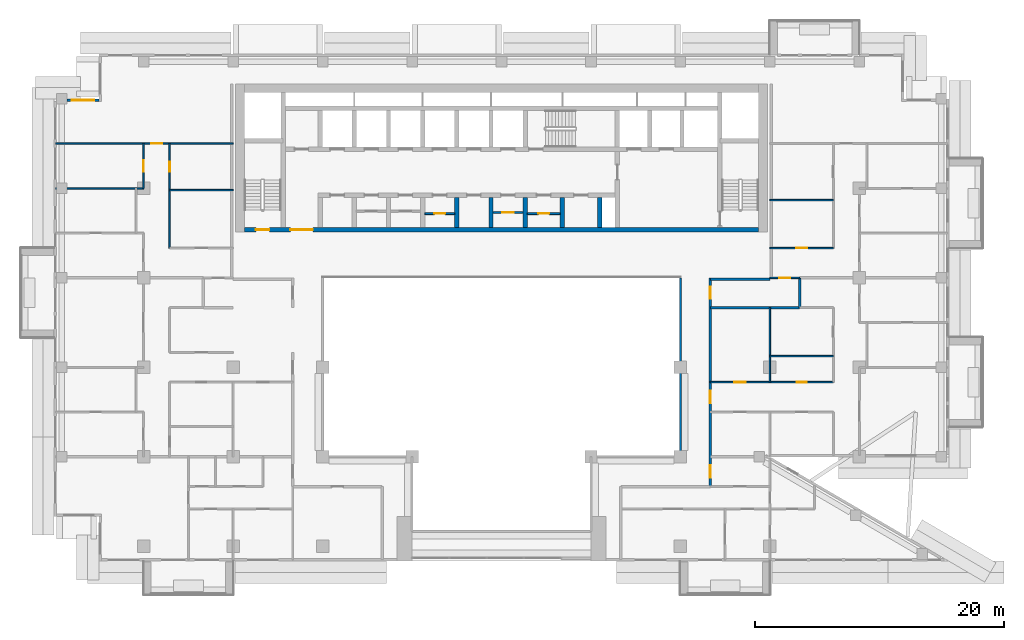
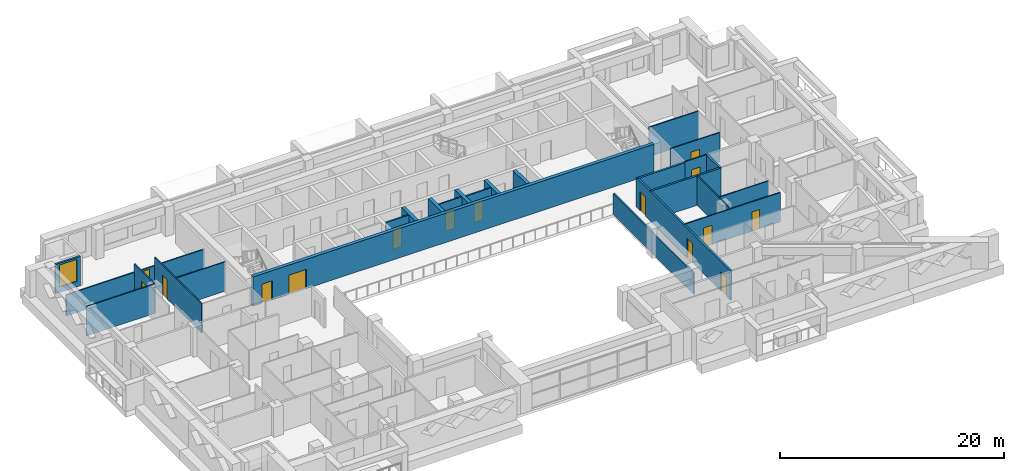
# One storey, part 9 of 20: 26 walls, 15 doors, 1 window, 16 openings.
"""IFC4 building model written with IfcOpenShell, lengths in metres."""

from ifc_helpers import new_model, si_unit, direction, frame, frame_2d, origin, place, context, subcontext, project, spatial, rectangle, extrude, material, layer, layer_set, type_object, element, fill, save


model = new_model("IFC4")

# Units and contexts
model_context = context("Model", 3, precision=1e-05, world=origin(), true_north=direction((0.0, 1.0)))
body_context = subcontext(model_context, "Body", "Model", "MODEL_VIEW")
ifc_project = project(units=[si_unit("LENGTHUNIT", "METRE"), si_unit("AREAUNIT", "SQUARE_METRE"), si_unit("VOLUMEUNIT", "CUBIC_METRE"), si_unit("PLANEANGLEUNIT", "RADIAN"), si_unit("MASSUNIT", "GRAM", prefix="KILO")], contexts=[model_context])

# Site, building, storey
site_placement = place(None, origin())
site = spatial("IfcSite", under=ifc_project, at=site_placement, CompositionType="ELEMENT")
building_placement = place(site_placement, origin())
building = spatial("IfcBuilding", under=site, at=building_placement, Name="Saffron Iwan Residences", CompositionType="ELEMENT")
storey_placement = place(building_placement, frame((0.0, 0.0, 167.5)))
storey = spatial("IfcBuildingStorey", under=building, at=storey_placement, Name="L44", CompositionType="ELEMENT", Elevation=167.5)

# Wall
ifc_material_1 = material(Name="Fire-rated glazing", Category="glass")
ifc_layer_1 = layer(ifc_material_1, 0.14990234375)
ifc_layer_set_1 = layer_set([ifc_layer_1], Name="Fire-rated glazing")
wall_type_1 = type_object("IfcWallType", Name="Atrium glazed screen 150", PredefinedType="SOLIDWALL", material=ifc_layer_set_1)
wall_1_placement = place(storey_placement, frame((64.800048828125, 48.0, 0.0), z_axis=(0.0, 0.0, 1.0), x_axis=(0.0, 1.0, 0.0)))
element("IfcWall", 1, at=wall_1_placement, inside=storey, type_object=wall_type_1, Name="W-L44-SCREEN-v64.8-48", PredefinedType="SOLIDWALL", context=body_context, shape_type="SweptSolid", body=[
    extrude(rectangle(XDim=14.39990234375, YDim=0.14990234375, at=frame_2d((7.199951171875, 0.0))), origin(), (0.0, 0.0, 1.0), 2.300048828125),
])

# Wall, opening, door
ifc_material_2 = material(Name="Fire-rated plasterboard partition")
ifc_layer_2 = layer(ifc_material_2, 0.14990234375)
ifc_layer_set_2 = layer_set([ifc_layer_2], Name="Fire-rated plasterboard partition")
wall_type_2 = type_object("IfcWallType", Name="Core partition 150", PredefinedType="PARTITIONING", material=ifc_layer_set_2)
wall_2_placement = place(storey_placement, frame((44.22509765625, 67.5654296875, 0.0), z_axis=(0.0, 0.0, 1.0), x_axis=(1.0, 0.0, 0.0)))
wall_2 = element("IfcWall", 2, at=wall_2_placement, inside=storey, type_object=wall_type_2, Name="Core partition P03", PredefinedType="PARTITIONING", context=body_context, shape_type="SweptSolid", body=[
    extrude(rectangle(XDim=2.39990234375, YDim=0.14990234375, at=frame_2d((1.199951171875, 0.0))), origin(), (0.0, 0.0, 1.0), 3.199951171875),
])
opening_1_placement = place(wall_2_placement, frame((0.75, 0.0, 0.0)))
opening_1 = element("IfcOpeningElement", 3, at=opening_1_placement, cuts=wall_2, Name="Opening SB", PredefinedType="OPENING", context=body_context, shape_type="SweptSolid", body=[
    extrude(rectangle(XDim=0.89990234375, YDim=2.10009765625, at=frame_2d((0.449951171875, 1.050048828125))), frame((0.0, 0.0849609375, 0.0), z_axis=(0.0, -1.0, 0.0), x_axis=(1.0, 0.0, 0.0)), (0.0, 0.0, 1.0), 0.169921875),
])
ifc_material_3 = material(Name="Steel fire door", Category="steel")
door_type_1 = type_object("IfcDoorType", Name="Store door 900", OperationType="NOTDEFINED", PredefinedType="DOOR", material=ifc_material_3)
door_1_placement = place(opening_1_placement, origin())
door_1 = element("IfcDoor", 4, at=door_1_placement, inside=storey, type_object=door_type_1, Name="Door Spares store", OperationType="SINGLE_SWING_LEFT", OverallHeight=2.10009765625, OverallWidth=0.89990234375, PredefinedType="DOOR", context=body_context, shape_type="SweptSolid", body=[
    extrude(rectangle(XDim=0.89990234375, YDim=2.10009765625, at=frame_2d((0.449951171875, 1.050048828125))), frame((0.0, 0.02490234375, 0.0), z_axis=(0.0, -1.0, 0.0), x_axis=(1.0, 0.0, 0.0)), (0.0, 0.0, 1.0), 0.050048828125),
])
fill(opening_1, door_1)

wall_3_placement = place(storey_placement, frame((49.72509765625, 67.66259765625, 0.0), z_axis=(0.0, 0.0, 1.0), x_axis=(1.0, 0.0, 0.0)))
wall_3 = element("IfcWall", 5, at=wall_3_placement, inside=storey, type_object=wall_type_2, Name="Core partition P04", PredefinedType="PARTITIONING", context=body_context, shape_type="SweptSolid", body=[
    extrude(rectangle(XDim=2.39990234375, YDim=0.14990234375, at=frame_2d((1.199951171875, 0.0))), origin(), (0.0, 0.0, 1.0), 3.199951171875),
])
opening_2_placement = place(wall_3_placement, frame((0.75, 0.0, 0.0)))
opening_2 = element("IfcOpeningElement", 6, at=opening_2_placement, cuts=wall_3, Name="Opening SB", PredefinedType="OPENING", context=body_context, shape_type="SweptSolid", body=[
    extrude(rectangle(XDim=0.89990234375, YDim=2.10009765625, at=frame_2d((0.449951171875, 1.050048828125))), frame((0.0, 0.0849609375, 0.0), z_axis=(0.0, -1.0, 0.0), x_axis=(1.0, 0.0, 0.0)), (0.0, 0.0, 1.0), 0.169921875),
])
door_2_placement = place(opening_2_placement, origin())
door_2 = element("IfcDoor", 7, at=door_2_placement, inside=storey, type_object=door_type_1, Name="Door Records store", OperationType="SINGLE_SWING_LEFT", OverallHeight=2.10009765625, OverallWidth=0.89990234375, PredefinedType="DOOR", context=body_context, shape_type="SweptSolid", body=[
    extrude(rectangle(XDim=0.89990234375, YDim=2.10009765625, at=frame_2d((0.449951171875, 1.050048828125))), frame((0.0, 0.02490234375, 0.0), z_axis=(0.0, -1.0, 0.0), x_axis=(1.0, 0.0, 0.0)), (0.0, 0.0, 1.0), 0.050048828125),
])
fill(opening_2, door_2)

wall_4_placement = place(storey_placement, frame((52.47509765625, 67.5654296875, 0.0), z_axis=(0.0, 0.0, 1.0), x_axis=(1.0, 0.0, 0.0)))
wall_4 = element("IfcWall", 8, at=wall_4_placement, inside=storey, type_object=wall_type_2, Name="Core partition P05", PredefinedType="PARTITIONING", context=body_context, shape_type="SweptSolid", body=[
    extrude(rectangle(XDim=2.64990234375, YDim=0.14990234375, at=frame_2d((1.324951171875, 0.0))), origin(), (0.0, 0.0, 1.0), 3.199951171875),
])
opening_3_placement = place(wall_4_placement, frame((0.875, 0.0, 0.0)))
opening_3 = element("IfcOpeningElement", 9, at=opening_3_placement, cuts=wall_4, Name="Opening SB", PredefinedType="OPENING", context=body_context, shape_type="SweptSolid", body=[
    extrude(rectangle(XDim=0.89990234375, YDim=2.10009765625, at=frame_2d((0.449951171875, 1.050048828125))), frame((0.0, 0.0849609375, 0.0), z_axis=(0.0, -1.0, 0.0), x_axis=(1.0, 0.0, 0.0)), (0.0, 0.0, 1.0), 0.169921875),
])
door_3_placement = place(opening_3_placement, origin())
door_3 = element("IfcDoor", 10, at=door_3_placement, inside=storey, type_object=door_type_1, Name="Door Equipment store", OperationType="SINGLE_SWING_RIGHT", OverallHeight=2.10009765625, OverallWidth=0.89990234375, PredefinedType="DOOR", context=body_context, shape_type="SweptSolid", body=[
    extrude(rectangle(XDim=0.89990234375, YDim=2.10009765625, at=frame_2d((0.449951171875, 1.050048828125))), frame((0.0, 0.02490234375, 0.0), z_axis=(0.0, -1.0, 0.0), x_axis=(1.0, 0.0, 0.0)), (0.0, 0.0, 1.0), 0.050048828125),
])
fill(opening_3, door_3)

# Wall, opening, window
ifc_material_4 = material(Name="Concrete C40/50", Category="concrete")
ifc_layer_3 = layer(ifc_material_4, 0.199951171875)
ifc_layer_set_3 = layer_set([ifc_layer_3], Name="Concrete C40/50")
wall_type_3 = type_object("IfcWallType", Name="EXTERNAL WALL 200", PredefinedType="SOLIDWALL", material=ifc_layer_set_3)
wall_5_placement = place(storey_placement, frame((18.0, 76.699951171875, 0.0), z_axis=(0.0, 0.0, 1.0), x_axis=(-1.0, 0.0, 0.0)))
wall_5 = element("IfcWall", 11, at=wall_5_placement, inside=storey, type_object=wall_type_3, Name="External wall L44 F7.0", PredefinedType="SOLIDWALL", context=body_context, shape_type="SweptSolid", body=[
    extrude(rectangle(XDim=2.574951171875, YDim=0.199951171875, at=frame_2d((1.28759765625, 0.0))), origin(), (0.0, 0.0, 1.0), 3.199951171875),
])
opening_4_placement = place(wall_5_placement, frame((0.387451171875, 0.0, 0.60009765625)))
opening_4 = element("IfcOpeningElement", 12, at=opening_4_placement, cuts=wall_5, Name="Opening W8", PredefinedType="OPENING", context=body_context, shape_type="SweptSolid", body=[
    extrude(rectangle(XDim=1.800048828125, YDim=2.39990234375, at=frame_2d((0.89990234375, 1.199951171875))), frame((0.0, 0.10986328125, 0.0), z_axis=(0.0, -1.0, 0.0), x_axis=(1.0, 0.0, 0.0)), (0.0, 0.0, 1.0), 0.219970703125),
])
ifc_material_5 = material(Name="Clear glass, laminated double glazed", Category="glass")
window_type = type_object("IfcWindowType", Name="WINDOW 1800 x 2400", PartitioningType="DOUBLE_PANEL_VERTICAL", PredefinedType="WINDOW", material=ifc_material_5)
window_placement = place(opening_4_placement, origin())
window = element("IfcWindow", 13, at=window_placement, inside=storey, type_object=window_type, Name="Window L44 F7.0", OverallHeight=2.39990234375, OverallWidth=1.800048828125, PartitioningType="DOUBLE_PANEL_VERTICAL", PredefinedType="WINDOW", context=body_context, shape_type="SweptSolid", body=[
    extrude(rectangle(XDim=1.800048828125, YDim=2.39990234375, at=frame_2d((0.89990234375, 1.199951171875))), frame((0.0, 0.030029296875, 0.0), z_axis=(0.0, -1.0, 0.0), x_axis=(1.0, 0.0, 0.0)), (0.0, 0.0, 1.0), 0.06005859375),
])
fill(opening_4, window)

# Walls
ifc_material_6 = material(Name="Fire-rated gypsum board wall")
ifc_layer_4 = layer(ifc_material_6, 0.199951171875)
ifc_layer_set_4 = layer_set([ifc_layer_4], Name="Fire-rated gypsum board wall")
wall_type_4 = type_object("IfcWallType", Name="Flat demising wall 200", PredefinedType="SOLIDWALL", material=ifc_layer_set_4)
wall_6_placement = place(storey_placement, frame((67.199951171875, 60.0, 0.0), z_axis=(0.0, 0.0, 1.0), x_axis=(1.0, 0.0, 0.0)))
element("IfcWall", 14, at=wall_6_placement, inside=storey, type_object=wall_type_4, Name="W-L44-DEMISE-h60-67.2", PredefinedType="SOLIDWALL", context=body_context, shape_type="SweptSolid", body=[
    extrude(rectangle(XDim=7.199951171875, YDim=0.199951171875, at=frame_2d((3.60009765625, 0.0))), origin(), (0.0, 0.0, 1.0), 3.199951171875),
])
wall_7_placement = place(storey_placement, frame((74.39990234375, 60.0, 0.0), z_axis=(0.0, 0.0, 1.0), x_axis=(0.0, 1.0, 0.0)))
element("IfcWall", 15, at=wall_7_placement, inside=storey, type_object=wall_type_4, Name="W-L44-DEMISE-v74.4-60", PredefinedType="SOLIDWALL", context=body_context, shape_type="SweptSolid", body=[
    extrude(rectangle(XDim=2.39990234375, YDim=0.199951171875, at=frame_2d((1.199951171875, 0.0))), origin(), (0.0, 0.0, 1.0), 3.199951171875),
])

# Wall, openings, doors
ifc_material_7 = material(Name="Gypsum board partition")
ifc_layer_5 = layer(ifc_material_7, 0.1201171875)
ifc_layer_set_5 = layer_set([ifc_layer_5], Name="Gypsum board partition")
wall_type_5 = type_object("IfcWallType", Name="Flat partition 120", PredefinedType="PARTITIONING", material=ifc_layer_set_5)
wall_8_placement = place(storey_placement, frame((67.199951171875, 54.0, 0.0), z_axis=(0.0, 0.0, 1.0), x_axis=(1.0, 0.0, 0.0)))
wall_8 = element("IfcWall", 16, at=wall_8_placement, inside=storey, type_object=wall_type_5, Name="W-L44-PART-h54-67.2", PredefinedType="PARTITIONING", context=body_context, shape_type="SweptSolid", body=[
    extrude(rectangle(XDim=9.900146484375, YDim=0.1201171875, at=frame_2d((4.9501953125, 0.0))), origin(), (0.0, 0.0, 1.0), 3.199951171875),
])
opening_5_placement = place(wall_8_placement, frame((6.949951171875, 0.0, 0.0)))
opening_5 = element("IfcOpeningElement", 17, at=opening_5_placement, cuts=wall_8, Name="Opening FD3", PredefinedType="OPENING", context=body_context, shape_type="SweptSolid", body=[
    extrude(rectangle(XDim=0.800048828125, YDim=2.10009765625, at=frame_2d((0.39990234375, 1.050048828125))), frame((0.0, 0.070068359375, 0.0), z_axis=(0.0, -1.0, 0.0), x_axis=(1.0, 0.0, 0.0)), (0.0, 0.0, 1.0), 0.14013671875),
])
opening_6_placement = place(wall_8_placement, frame((1.949951171875, 0.0, 0.0)))
opening_6 = element("IfcOpeningElement", 18, at=opening_6_placement, cuts=wall_8, Name="Opening FD2", PredefinedType="OPENING", context=body_context, shape_type="SweptSolid", body=[
    extrude(rectangle(XDim=0.89990234375, YDim=2.10009765625, at=frame_2d((0.449951171875, 1.050048828125))), frame((0.0, 0.070068359375, 0.0), z_axis=(0.0, -1.0, 0.0), x_axis=(1.0, 0.0, 0.0)), (0.0, 0.0, 1.0), 0.14013671875),
])
ifc_material_8 = material(Name="Timber door", Category="wood")
door_type_2 = type_object("IfcDoorType", Name="Bathroom door 800", OperationType="NOTDEFINED", PredefinedType="DOOR", material=ifc_material_8)
door_4_placement = place(opening_5_placement, origin())
door_4 = element("IfcDoor", 19, at=door_4_placement, inside=storey, type_object=door_type_2, Name="Door L44-021", OperationType="SINGLE_SWING_LEFT", OverallHeight=2.10009765625, OverallWidth=0.800048828125, PredefinedType="DOOR", context=body_context, shape_type="SweptSolid", body=[
    extrude(rectangle(XDim=0.800048828125, YDim=2.10009765625, at=frame_2d((0.39990234375, 1.050048828125))), frame((0.0, 0.02490234375, 0.0), z_axis=(0.0, -1.0, 0.0), x_axis=(1.0, 0.0, 0.0)), (0.0, 0.0, 1.0), 0.050048828125),
])
fill(opening_5, door_4)
door_type_3 = type_object("IfcDoorType", Name="Flat door 900", OperationType="NOTDEFINED", PredefinedType="DOOR", material=ifc_material_8)
door_5_placement = place(opening_6_placement, origin())
door_5 = element("IfcDoor", 20, at=door_5_placement, inside=storey, type_object=door_type_3, Name="Door L44-024", OperationType="SINGLE_SWING_LEFT", OverallHeight=2.10009765625, OverallWidth=0.89990234375, PredefinedType="DOOR", context=body_context, shape_type="SweptSolid", body=[
    extrude(rectangle(XDim=0.89990234375, YDim=2.10009765625, at=frame_2d((0.449951171875, 1.050048828125))), frame((0.0, 0.02490234375, 0.0), z_axis=(0.0, -1.0, 0.0), x_axis=(1.0, 0.0, 0.0)), (0.0, 0.0, 1.0), 0.050048828125),
])
fill(opening_6, door_5)

# Wall
wall_9_placement = place(storey_placement, frame((72.0, 56.10009765625, 0.0), z_axis=(0.0, 0.0, 1.0), x_axis=(1.0, 0.0, 0.0)))
element("IfcWall", 21, at=wall_9_placement, inside=storey, type_object=wall_type_5, Name="W-L44-PART-h56.1-72", PredefinedType="PARTITIONING", context=body_context, shape_type="SweptSolid", body=[
    extrude(rectangle(XDim=5.10009765625, YDim=0.1201171875, at=frame_2d((2.550048828125, 0.0))), origin(), (0.0, 0.0, 1.0), 3.199951171875),
])

# Wall, opening, door
wall_10_placement = place(storey_placement, frame((72.0, 62.39990234375, 0.0), z_axis=(0.0, 0.0, 1.0), x_axis=(1.0, 0.0, 0.0)))
wall_10 = element("IfcWall", 22, at=wall_10_placement, inside=storey, type_object=wall_type_5, Name="W-L44-PART-h62.4-72", PredefinedType="PARTITIONING", context=body_context, shape_type="SweptSolid", body=[
    extrude(rectangle(XDim=2.39990234375, YDim=0.1201171875, at=frame_2d((1.199951171875, 0.0))), origin(), (0.0, 0.0, 1.0), 3.199951171875),
])
opening_7_placement = place(wall_10_placement, frame((0.75, 0.0, 0.0)))
opening_7 = element("IfcOpeningElement", 23, at=opening_7_placement, cuts=wall_10, Name="Opening FD2", PredefinedType="OPENING", context=body_context, shape_type="SweptSolid", body=[
    extrude(rectangle(XDim=0.89990234375, YDim=2.10009765625, at=frame_2d((0.449951171875, 1.050048828125))), frame((0.0, 0.070068359375, 0.0), z_axis=(0.0, -1.0, 0.0), x_axis=(1.0, 0.0, 0.0)), (0.0, 0.0, 1.0), 0.14013671875),
])
door_6_placement = place(opening_7_placement, origin())
door_6 = element("IfcDoor", 24, at=door_6_placement, inside=storey, type_object=door_type_3, Name="Door L44-033", OperationType="SINGLE_SWING_LEFT", OverallHeight=2.10009765625, OverallWidth=0.89990234375, PredefinedType="DOOR", context=body_context, shape_type="SweptSolid", body=[
    extrude(rectangle(XDim=0.89990234375, YDim=2.10009765625, at=frame_2d((0.449951171875, 1.050048828125))), frame((0.0, 0.02490234375, 0.0), z_axis=(0.0, -1.0, 0.0), x_axis=(1.0, 0.0, 0.0)), (0.0, 0.0, 1.0), 0.050048828125),
])
fill(opening_7, door_6)

wall_11_placement = place(storey_placement, frame((72.0, 64.800048828125, 0.0), z_axis=(0.0, 0.0, 1.0), x_axis=(1.0, 0.0, 0.0)))
wall_11 = element("IfcWall", 25, at=wall_11_placement, inside=storey, type_object=wall_type_5, Name="W-L44-PART-h64.8-72", PredefinedType="PARTITIONING", context=body_context, shape_type="SweptSolid", body=[
    extrude(rectangle(XDim=5.10009765625, YDim=0.1201171875, at=frame_2d((2.550048828125, 0.0))), origin(), (0.0, 0.0, 1.0), 3.199951171875),
])
opening_8_placement = place(wall_11_placement, frame((2.10009765625, 0.0, 0.0)))
opening_8 = element("IfcOpeningElement", 26, at=opening_8_placement, cuts=wall_11, Name="Opening FD2", PredefinedType="OPENING", context=body_context, shape_type="SweptSolid", body=[
    extrude(rectangle(XDim=0.89990234375, YDim=2.10009765625, at=frame_2d((0.449951171875, 1.050048828125))), frame((0.0, 0.070068359375, 0.0), z_axis=(0.0, -1.0, 0.0), x_axis=(1.0, 0.0, 0.0)), (0.0, 0.0, 1.0), 0.14013671875),
])
door_7_placement = place(opening_8_placement, origin())
door_7 = element("IfcDoor", 27, at=door_7_placement, inside=storey, type_object=door_type_3, Name="Door L44-039", OperationType="SINGLE_SWING_LEFT", OverallHeight=2.10009765625, OverallWidth=0.89990234375, PredefinedType="DOOR", context=body_context, shape_type="SweptSolid", body=[
    extrude(rectangle(XDim=0.89990234375, YDim=2.10009765625, at=frame_2d((0.449951171875, 1.050048828125))), frame((0.0, 0.02490234375, 0.0), z_axis=(0.0, -1.0, 0.0), x_axis=(1.0, 0.0, 0.0)), (0.0, 0.0, 1.0), 0.050048828125),
])
fill(opening_8, door_7)

# Walls
for number, where, z_axis, x_axis, name in (
    (28, (72.0, 68.64990234375, 0.0), (0.0, 0.0, 1.0), (1.0, 0.0, 0.0), "W-L44-PART-h68.65-72"),
    (29, (23.699951171875, 69.449951171875, 0.0), (0.0, 0.0, 1.0), (1.0, 0.0, 0.0), "W-L44-PART-h69.45-23.7"),
):
    element("IfcWall", number, at=place(storey_placement, frame(where, z_axis=z_axis, x_axis=x_axis)), inside=storey, type_object=wall_type_5, Name=name, PredefinedType="PARTITIONING", context=body_context, shape_type="SweptSolid", body=[
        extrude(rectangle(XDim=5.10009765625, YDim=0.1201171875, at=frame_2d((2.550048828125, 0.0))), origin(), (0.0, 0.0, 1.0), 3.199951171875),
    ])
wall_12_placement = place(storey_placement, frame((14.52490234375, 69.60009765625, 0.0), z_axis=(0.0, 0.0, 1.0), x_axis=(1.0, 0.0, 0.0)))
element("IfcWall", 30, at=wall_12_placement, inside=storey, type_object=wall_type_5, Name="W-L44-PART-h69.6-14.525", PredefinedType="PARTITIONING", context=body_context, shape_type="SweptSolid", body=[
    extrude(rectangle(XDim=7.0751953125, YDim=0.1201171875, at=frame_2d((3.53759765625, 0.0))), origin(), (0.0, 0.0, 1.0), 3.199951171875),
])

# Wall, opening, door
wall_13_placement = place(storey_placement, frame((14.52490234375, 73.199951171875, 0.0), z_axis=(0.0, 0.0, 1.0), x_axis=(1.0, 0.0, 0.0)))
wall_13 = element("IfcWall", 31, at=wall_13_placement, inside=storey, type_object=wall_type_5, Name="W-L44-PART-h73.2-14.525", PredefinedType="PARTITIONING", context=body_context, shape_type="SweptSolid", body=[
    extrude(rectangle(XDim=14.275146484375, YDim=0.1201171875, at=frame_2d((7.1376953125, 0.0))), origin(), (0.0, 0.0, 1.0), 2.300048828125),
])
opening_9_placement = place(wall_13_placement, frame((7.675048828125, 0.0, 0.0)))
opening_9 = element("IfcOpeningElement", 32, at=opening_9_placement, cuts=wall_13, Name="Opening FD2", PredefinedType="OPENING", context=body_context, shape_type="SweptSolid", body=[
    extrude(rectangle(XDim=0.89990234375, YDim=2.10009765625, at=frame_2d((0.449951171875, 1.050048828125))), frame((0.0, 0.070068359375, 0.0), z_axis=(0.0, -1.0, 0.0), x_axis=(1.0, 0.0, 0.0)), (0.0, 0.0, 1.0), 0.14013671875),
])
door_8_placement = place(opening_9_placement, origin())
door_8 = element("IfcDoor", 33, at=door_8_placement, inside=storey, type_object=door_type_3, Name="Door L44-030", OperationType="SINGLE_SWING_LEFT", OverallHeight=2.10009765625, OverallWidth=0.89990234375, PredefinedType="DOOR", context=body_context, shape_type="SweptSolid", body=[
    extrude(rectangle(XDim=0.89990234375, YDim=2.10009765625, at=frame_2d((0.449951171875, 1.050048828125))), frame((0.0, 0.02490234375, 0.0), z_axis=(0.0, -1.0, 0.0), x_axis=(1.0, 0.0, 0.0)), (0.0, 0.0, 1.0), 0.050048828125),
])
fill(opening_9, door_8)

wall_14_placement = place(storey_placement, frame((21.60009765625, 69.60009765625, 0.0), z_axis=(0.0, 0.0, 1.0), x_axis=(0.0, 1.0, 0.0)))
wall_14 = element("IfcWall", 34, at=wall_14_placement, inside=storey, type_object=wall_type_5, Name="W-L44-PART-v21.6-69.6", PredefinedType="PARTITIONING", context=body_context, shape_type="SweptSolid", body=[
    extrude(rectangle(XDim=3.599853515625, YDim=0.1201171875, at=frame_2d((1.7998046875, 0.0))), origin(), (0.0, 0.0, 1.0), 3.199951171875),
])
opening_10_placement = place(wall_14_placement, frame((1.35009765625, 0.0, 0.0)))
opening_10 = element("IfcOpeningElement", 35, at=opening_10_placement, cuts=wall_14, Name="Opening FD2", PredefinedType="OPENING", context=body_context, shape_type="SweptSolid", body=[
    extrude(rectangle(XDim=0.89990234375, YDim=2.10009765625, at=frame_2d((0.449951171875, 1.050048828125))), frame((0.0, 0.070068359375, 0.0), z_axis=(0.0, -1.0, 0.0), x_axis=(1.0, 0.0, 0.0)), (0.0, 0.0, 1.0), 0.14013671875),
])
door_9_placement = place(opening_10_placement, origin())
door_9 = element("IfcDoor", 36, at=door_9_placement, inside=storey, type_object=door_type_3, Name="Door L44-029", OperationType="SINGLE_SWING_RIGHT", OverallHeight=2.10009765625, OverallWidth=0.89990234375, PredefinedType="DOOR", context=body_context, shape_type="SweptSolid", body=[
    extrude(rectangle(XDim=0.89990234375, YDim=2.10009765625, at=frame_2d((0.449951171875, 1.050048828125))), frame((0.0, 0.02490234375, 0.0), z_axis=(0.0, -1.0, 0.0), x_axis=(1.0, 0.0, 0.0)), (0.0, 0.0, 1.0), 0.050048828125),
])
fill(opening_10, door_9)

wall_15_placement = place(storey_placement, frame((23.699951171875, 64.800048828125, 0.0), z_axis=(0.0, 0.0, 1.0), x_axis=(0.0, 1.0, 0.0)))
wall_15 = element("IfcWall", 37, at=wall_15_placement, inside=storey, type_object=wall_type_5, Name="W-L44-PART-v23.7-64.8", PredefinedType="PARTITIONING", context=body_context, shape_type="SweptSolid", body=[
    extrude(rectangle(XDim=8.39990234375, YDim=0.1201171875, at=frame_2d((4.199951171875, 0.0))), origin(), (0.0, 0.0, 1.0), 3.199951171875),
])
opening_11_placement = place(wall_15_placement, frame((6.125, 0.0, 0.0)))
opening_11 = element("IfcOpeningElement", 38, at=opening_11_placement, cuts=wall_15, Name="Opening FD3", PredefinedType="OPENING", context=body_context, shape_type="SweptSolid", body=[
    extrude(rectangle(XDim=0.800048828125, YDim=2.10009765625, at=frame_2d((0.39990234375, 1.050048828125))), frame((0.0, 0.070068359375, 0.0), z_axis=(0.0, -1.0, 0.0), x_axis=(1.0, 0.0, 0.0)), (0.0, 0.0, 1.0), 0.14013671875),
])
door_10_placement = place(opening_11_placement, origin())
door_10 = element("IfcDoor", 39, at=door_10_placement, inside=storey, type_object=door_type_2, Name="Door L44-032", OperationType="SINGLE_SWING_RIGHT", OverallHeight=2.10009765625, OverallWidth=0.800048828125, PredefinedType="DOOR", context=body_context, shape_type="SweptSolid", body=[
    extrude(rectangle(XDim=0.800048828125, YDim=2.10009765625, at=frame_2d((0.39990234375, 1.050048828125))), frame((0.0, 0.02490234375, 0.0), z_axis=(0.0, -1.0, 0.0), x_axis=(1.0, 0.0, 0.0)), (0.0, 0.0, 1.0), 0.050048828125),
])
fill(opening_11, door_10)

# Walls
wall_16_placement = place(storey_placement, frame((72.0, 54.0, 0.0), z_axis=(0.0, 0.0, 1.0), x_axis=(0.0, 1.0, 0.0)))
element("IfcWall", 40, at=wall_16_placement, inside=storey, type_object=wall_type_5, Name="W-L44-PART-v72-54", PredefinedType="PARTITIONING", context=body_context, shape_type="SweptSolid", body=[
    extrude(rectangle(XDim=6.0, YDim=0.1201171875, at=frame_2d((3.0, 0.0))), origin(), (0.0, 0.0, 1.0), 3.199951171875),
])
ifc_layer_6 = layer(ifc_material_6, 0.199951171875)
ifc_layer_set_6 = layer_set([ifc_layer_6], Name="Fire-rated gypsum board wall")
wall_type_6 = type_object("IfcWallType", Name="Gallery wall 200", PredefinedType="SOLIDWALL", material=ifc_layer_set_6)
wall_17_placement = place(storey_placement, frame((67.199951171875, 62.300048828125, 0.0), z_axis=(0.0, 0.0, 1.0), x_axis=(1.0, 0.0, 0.0)))
element("IfcWall", 41, at=wall_17_placement, inside=storey, type_object=wall_type_6, Name="W-L44-CORR-h62.4-67.2", PredefinedType="SOLIDWALL", context=body_context, shape_type="SweptSolid", body=[
    extrude(rectangle(XDim=4.800048828125, YDim=0.199951171875, at=frame_2d((2.39990234375, 0.0))), origin(), (0.0, 0.0, 1.0), 3.199951171875),
])

# Wall, openings, doors
wall_18_placement = place(storey_placement, frame((67.199951171875, 45.60009765625, 0.0), z_axis=(0.0, 0.0, 1.0), x_axis=(0.0, 1.0, 0.0)))
wall_18 = element("IfcWall", 42, at=wall_18_placement, inside=storey, type_object=wall_type_6, Name="W-L44-CORR-v67.2-45.6", PredefinedType="SOLIDWALL", context=body_context, shape_type="SweptSolid", body=[
    extrude(rectangle(XDim=16.7998046875, YDim=0.199951171875, at=frame_2d((8.39990234375, 0.0))), origin(), (0.0, 0.0, 1.0), 3.199951171875),
])
opening_12_placement = place(wall_18_placement, frame((6.699951171875, 0.0, 0.0)))
opening_12 = element("IfcOpeningElement", 43, at=opening_12_placement, cuts=wall_18, Name="Opening FD1", PredefinedType="OPENING", context=body_context, shape_type="SweptSolid", body=[
    extrude(rectangle(XDim=1.0, YDim=2.10009765625, at=frame_2d((0.5, 1.050048828125))), frame((0.0, 0.10986328125, 0.0), z_axis=(0.0, -1.0, 0.0), x_axis=(1.0, 0.0, 0.0)), (0.0, 0.0, 1.0), 0.219970703125),
])
opening_13_placement = place(wall_18_placement, frame((15.10009765625, 0.0, 0.0)))
opening_13 = element("IfcOpeningElement", 44, at=opening_13_placement, cuts=wall_18, Name="Opening FD5", PredefinedType="OPENING", context=body_context, shape_type="SweptSolid", body=[
    extrude(rectangle(XDim=1.0, YDim=2.10009765625, at=frame_2d((0.5, 1.050048828125))), frame((0.0, 0.10986328125, 0.0), z_axis=(0.0, -1.0, 0.0), x_axis=(1.0, 0.0, 0.0)), (0.0, 0.0, 1.0), 0.219970703125),
])
opening_14_placement = place(wall_18_placement, frame((0.699951171875, 0.0, 0.0)))
opening_14 = element("IfcOpeningElement", 45, at=opening_14_placement, cuts=wall_18, Name="Opening FD5", PredefinedType="OPENING", context=body_context, shape_type="SweptSolid", body=[
    extrude(rectangle(XDim=1.0, YDim=2.10009765625, at=frame_2d((0.5, 1.050048828125))), frame((0.0, 0.10986328125, 0.0), z_axis=(0.0, -1.0, 0.0), x_axis=(1.0, 0.0, 0.0)), (0.0, 0.0, 1.0), 0.219970703125),
])
ifc_material_9 = material(Name="Fire-rated timber door", Category="wood")
door_type_4 = type_object("IfcDoorType", Name="FD30S flat entrance door 1000", OperationType="NOTDEFINED", PredefinedType="DOOR", material=ifc_material_9)
door_11_placement = place(opening_12_placement, origin())
door_11 = element("IfcDoor", 46, at=door_11_placement, inside=storey, type_object=door_type_4, Name="Door L44-016", OperationType="SINGLE_SWING_LEFT", OverallHeight=2.10009765625, OverallWidth=1.0, PredefinedType="DOOR", context=body_context, shape_type="SweptSolid", body=[
    extrude(rectangle(XDim=1.0, YDim=2.10009765625, at=frame_2d((0.5, 1.050048828125))), frame((0.0, 0.02490234375, 0.0), z_axis=(0.0, -1.0, 0.0), x_axis=(1.0, 0.0, 0.0)), (0.0, 0.0, 1.0), 0.050048828125),
])
fill(opening_12, door_11)
door_type_5 = type_object("IfcDoorType", Name="Lobby door 1000", OperationType="NOTDEFINED", PredefinedType="DOOR", material=ifc_material_9)
door_12_placement = place(opening_13_placement, origin())
door_12 = element("IfcDoor", 47, at=door_12_placement, inside=storey, type_object=door_type_5, Name="Door L44-034", OperationType="SINGLE_SWING_LEFT", OverallHeight=2.10009765625, OverallWidth=1.0, PredefinedType="DOOR", context=body_context, shape_type="SweptSolid", body=[
    extrude(rectangle(XDim=1.0, YDim=2.10009765625, at=frame_2d((0.5, 1.050048828125))), frame((0.0, 0.02490234375, 0.0), z_axis=(0.0, -1.0, 0.0), x_axis=(1.0, 0.0, 0.0)), (0.0, 0.0, 1.0), 0.050048828125),
])
fill(opening_13, door_12)
door_13_placement = place(opening_14_placement, origin())
door_13 = element("IfcDoor", 48, at=door_13_placement, inside=storey, type_object=door_type_5, Name="Door L44-043", OperationType="SINGLE_SWING_LEFT", OverallHeight=2.10009765625, OverallWidth=1.0, PredefinedType="DOOR", context=body_context, shape_type="SweptSolid", body=[
    extrude(rectangle(XDim=1.0, YDim=2.10009765625, at=frame_2d((0.5, 1.050048828125))), frame((0.0, 0.02490234375, 0.0), z_axis=(0.0, -1.0, 0.0), x_axis=(1.0, 0.0, 0.0)), (0.0, 0.0, 1.0), 0.050048828125),
])
fill(opening_14, door_13)

ifc_material_10 = material(Name="Concrete C50/60", Category="concrete")
ifc_layer_7 = layer(ifc_material_10, 0.35009765625)
ifc_layer_set_7 = layer_set([ifc_layer_7], Name="Concrete C50/60")
wall_type_7 = type_object("IfcWallType", Name="WALL CORE 350 C50/60 3200 HIGH", PredefinedType="SHEAR", material=ifc_layer_set_7)
wall_19_placement = place(storey_placement, frame((29.699951171875, 66.27490234375, 0.0), z_axis=(0.0, 0.0, 1.0), x_axis=(1.0, 0.0, 0.0)))
wall_19 = element("IfcWall", 49, at=wall_19_placement, inside=storey, type_object=wall_type_7, Name="Core wall", PredefinedType="SHEAR", context=body_context, shape_type="SweptSolid", body=[
    extrude(rectangle(XDim=41.400146484375, YDim=0.35009765625, at=frame_2d((20.7001953125, 0.0))), origin(), (0.0, 0.0, 1.0), 3.199951171875),
])
opening_15_placement = place(wall_19_placement, frame((0.925048828125, 0.0, 0.0)))
opening_15 = element("IfcOpeningElement", 50, at=opening_15_placement, cuts=wall_19, Name="Opening SD", PredefinedType="OPENING", context=body_context, shape_type="SweptSolid", body=[
    extrude(rectangle(XDim=1.10009765625, YDim=2.10009765625, at=frame_2d((0.550048828125, 1.050048828125))), frame((0.0, 0.18505859375, 0.0), z_axis=(0.0, -1.0, 0.0), x_axis=(1.0, 0.0, 0.0)), (0.0, 0.0, 1.0), 0.3701171875),
])
opening_16_placement = place(wall_19_placement, frame((3.71240234375, 0.0, 0.0)))
opening_16 = element("IfcOpeningElement", 51, at=opening_16_placement, cuts=wall_19, Name="Opening DD", PredefinedType="OPENING", context=body_context, shape_type="SweptSolid", body=[
    extrude(rectangle(XDim=1.800048828125, YDim=2.10009765625, at=frame_2d((0.89990234375, 1.050048828125))), frame((0.0, 0.18505859375, 0.0), z_axis=(0.0, -1.0, 0.0), x_axis=(1.0, 0.0, 0.0)), (0.0, 0.0, 1.0), 0.3701171875),
])
door_type_6 = type_object("IfcDoorType", Name="Lobby double door 1800", OperationType="DOUBLE_DOOR_SINGLE_SWING", PredefinedType="DOOR", material=ifc_material_3)
door_14_placement = place(opening_16_placement, origin())
door_14 = element("IfcDoor", 52, at=door_14_placement, inside=storey, type_object=door_type_6, Name="Lobby doors", OperationType="DOUBLE_DOOR_SINGLE_SWING", OverallHeight=2.10009765625, OverallWidth=1.800048828125, PredefinedType="DOOR", context=body_context, shape_type="SweptSolid", body=[
    extrude(rectangle(XDim=1.800048828125, YDim=2.10009765625, at=frame_2d((0.89990234375, 1.050048828125))), frame((0.0, 0.02490234375, 0.0), z_axis=(0.0, -1.0, 0.0), x_axis=(1.0, 0.0, 0.0)), (0.0, 0.0, 1.0), 0.050048828125),
])
fill(opening_16, door_14)
door_type_7 = type_object("IfcDoorType", Name="Stair door 1100", OperationType="NOTDEFINED", PredefinedType="DOOR", material=ifc_material_3)
door_15_placement = place(opening_15_placement, origin())
door_15 = element("IfcDoor", 53, at=door_15_placement, inside=storey, type_object=door_type_7, Name="Stair door ST-W", OperationType="SINGLE_SWING_LEFT", OverallHeight=2.10009765625, OverallWidth=1.10009765625, PredefinedType="DOOR", context=body_context, shape_type="SweptSolid", body=[
    extrude(rectangle(XDim=1.10009765625, YDim=2.10009765625, at=frame_2d((0.550048828125, 1.050048828125))), frame((0.0, 0.02490234375, 0.0), z_axis=(0.0, -1.0, 0.0), x_axis=(1.0, 0.0, 0.0)), (0.0, 0.0, 1.0), 0.050048828125),
])
fill(opening_15, door_15)

# Walls
for number, where, z_axis, x_axis, name in (
    (54, (46.800048828125, 66.449951171875, 0.0), (0.0, 0.0, 1.0), (0.0, 1.0, 0.0), "Core wall"),
    (55, (49.550048828125, 66.449951171875, 0.0), (0.0, 0.0, 1.0), (0.0, 1.0, 0.0), "Core wall"),
    (56, (52.300048828125, 66.449951171875, 0.0), (0.0, 0.0, 1.0), (0.0, 1.0, 0.0), "Core wall"),
    (57, (55.300048828125, 66.449951171875, 0.0), (0.0, 0.0, 1.0), (0.0, 1.0, 0.0), "Core wall"),
    (58, (58.300048828125, 66.449951171875, 0.0), (0.0, 0.0, 1.0), (0.0, 1.0, 0.0), "Core wall"),
):
    element("IfcWall", number, at=place(storey_placement, frame(where, z_axis=z_axis, x_axis=x_axis)), inside=storey, type_object=wall_type_7, Name=name, PredefinedType="SHEAR", context=body_context, shape_type="SweptSolid", body=[
        extrude(rectangle(XDim=2.425048828125, YDim=0.35009765625, at=frame_2d((1.21240234375, 0.0))), origin(), (0.0, 0.0, 1.0), 3.199951171875),
    ])

save(model, "model.ifc")
